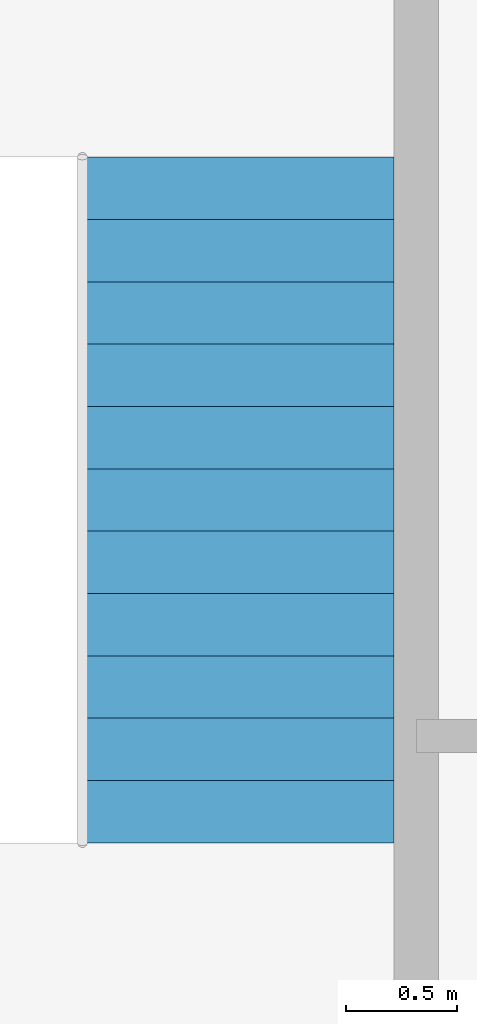
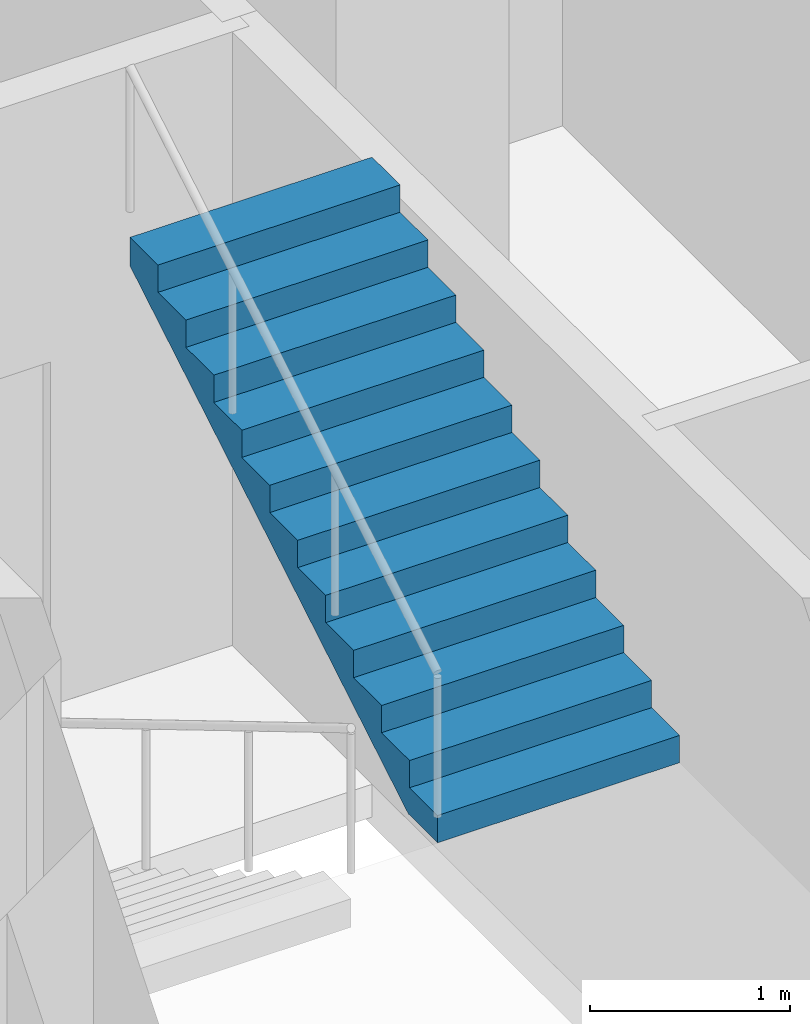
# One storey, part 12 of 17: 1 stair flight, 1 element without a shape of its own.
"""IFC4 building model written with IfcOpenShell, lengths in metres."""

from ifc_helpers import new_model, si_unit, direction, frame, origin, place, context, subcontext, project, spatial, polyline, outline, extrude, material, type_object, element, aggregate, save


model = new_model("IFC4")

# Units and contexts
model_context = context("Model", 3, precision=1e-05, world=origin(), true_north=direction((0.0, 1.0)))
body_context = subcontext(model_context, "Body", "Model", "MODEL_VIEW")
ifc_project = project(units=[si_unit("LENGTHUNIT", "METRE"), si_unit("AREAUNIT", "SQUARE_METRE"), si_unit("VOLUMEUNIT", "CUBIC_METRE"), si_unit("PLANEANGLEUNIT", "RADIAN"), si_unit("MASSUNIT", "GRAM", prefix="KILO")], contexts=[model_context])

# Site, building, storey
site_placement = place(None, origin())
site = spatial("IfcSite", under=ifc_project, at=site_placement, CompositionType="ELEMENT")
building_placement = place(site_placement, origin())
building = spatial("IfcBuilding", under=site, at=building_placement, Name="Malebo Sky Hospital", CompositionType="ELEMENT")
storey_placement = place(building_placement, frame((0.0, 0.0, 83.0)))
storey = spatial("IfcBuildingStorey", under=building, at=storey_placement, Name="L19", CompositionType="ELEMENT", Elevation=83.0)

# Stair, stair flight
ifc_material = material(Name="Concrete C40/50", Category="concrete")
stair_type = type_object("IfcStairType", Name="HALF-TURN STAIR 1400 R167", PredefinedType="HALF_TURN_STAIR", material=ifc_material)
stair_placement = place(storey_placement, origin())
stair = element("IfcStair", 1, at=stair_placement, inside=storey, type_object=stair_type, Name="Stair S3 L19 type ST1B", PredefinedType="HALF_TURN_STAIR")
stair_flight_type = type_object("IfcStairFlightType", Name="STAIR FLIGHT 1400 R167", PredefinedType="STRAIGHT", material=ifc_material)
stair_flight_placement = place(storey_placement, frame((71.699951171875, 70.52001953125, 2.0), z_axis=(0.0, 0.0, 1.0), x_axis=(0.0, 1.0, 0.0)))
stair_flight = element("IfcStairFlight", 2, at=stair_flight_placement, type_object=stair_flight_type, Name="S3 flight 2 type SF1B", NumberOfRisers=12, NumberOfTreads=11, PredefinedType="STRAIGHT", RiserHeight=0.166666667, TreadLength=0.28, context=body_context, shape_type="SweptSolid", body=[
    extrude(outline(polyline([(0.0, 0.0), (0.0, 0.166748046875), (0.280029296875, 0.166748046875), (0.280029296875, 0.333251953125), (0.56005859375, 0.333251953125), (0.56005859375, 0.5), (0.840087890625, 0.5), (0.840087890625, 0.666748046875), (1.1201171875, 0.666748046875), (1.1201171875, 0.833251953125), (1.39990234375, 0.833251953125), (1.39990234375, 1.0), (1.679931640625, 1.0), (1.679931640625, 1.166748046875), (1.9599609375, 1.166748046875), (1.9599609375, 1.333251953125), (2.239990234375, 1.333251953125), (2.239990234375, 1.5), (2.52001953125, 1.5), (2.52001953125, 1.666748046875), (2.800048828125, 1.666748046875), (2.800048828125, 1.833251953125), (3.080078125, 1.833251953125), (3.080078125, 2.0), (3.080078125, 1.658935546875), (0.29296875, 0.0), (0.0, 0.0)])), frame((0.0, 0.699951171875, 0.0), z_axis=(0.0, -1.0, 0.0), x_axis=(1.0, 0.0, 0.0)), (0.0, 0.0, 1.0), 1.39990234375),
])
aggregate(stair, [stair_flight])

save(model, "model.ifc")
